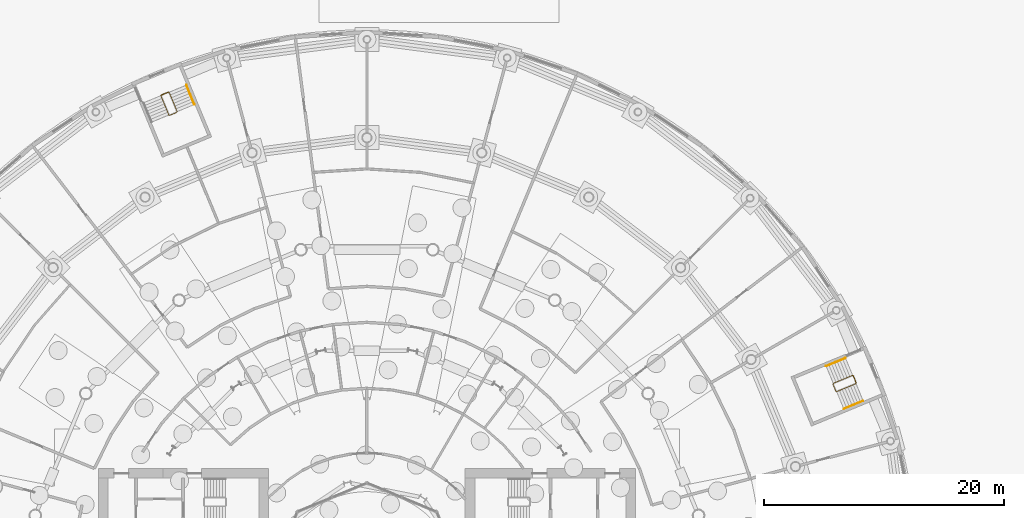
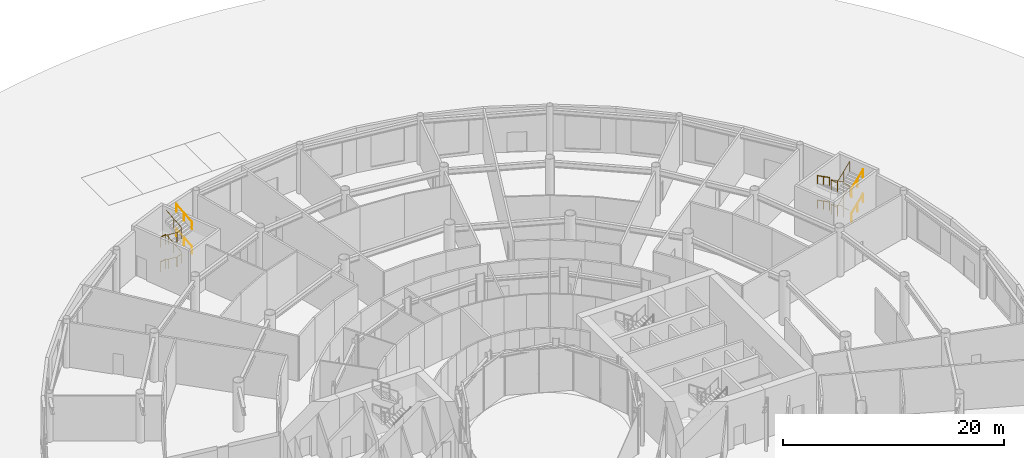
# One storey, part 40 of 41: 8 railings.
"""IFC4 building model written with IfcOpenShell, lengths in metres."""

from ifc_helpers import new_model, si_unit, direction, frame, origin, origin_2d, place, context, subcontext, project, spatial, circle, extrude, material, type_object, element, save


model = new_model("IFC4")

# Units and contexts
model_context = context("Model", 3, precision=1e-05, world=origin(), true_north=direction((0.0, 1.0)))
body_context = subcontext(model_context, "Body", "Model", "MODEL_VIEW")
ifc_project = project(units=[si_unit("LENGTHUNIT", "METRE"), si_unit("AREAUNIT", "SQUARE_METRE"), si_unit("VOLUMEUNIT", "CUBIC_METRE"), si_unit("PLANEANGLEUNIT", "RADIAN"), si_unit("MASSUNIT", "GRAM", prefix="KILO")], contexts=[model_context])

# Site, building, storey
site_placement = place(None, origin())
site = spatial("IfcSite", under=ifc_project, at=site_placement, CompositionType="ELEMENT")
building_placement = place(site_placement, origin())
building = spatial("IfcBuilding", under=site, at=building_placement, Name="Maasbend Ring Residences", CompositionType="ELEMENT")
storey_placement = place(building_placement, origin())
storey = spatial("IfcBuildingStorey", under=building, at=storey_placement, Name="L00", CompositionType="ELEMENT", Elevation=0.0)

# Railings
ifc_material_1 = material(Name="Stainless steel 316", Category="steel")
railing_type_1 = type_object("IfcRailingType", Name="STAIR GUARD 1100", PredefinedType="GUARDRAIL", material=ifc_material_1)
railing_1_placement = place(storey_placement, frame((-16.556884765625, 40.8212890625, 0.0)))
element("IfcRailing", 1, at=railing_1_placement, inside=storey, type_object=railing_type_1, Name="L00 ST-P1 stair guard 1", PredefinedType="GUARDRAIL", context=body_context, shape_type="SweptSolid", body=[
    extrude(circle(Radius=0.02392578125, at=origin_2d()), frame((0.0, 0.0, 1.076171875), z_axis=(-0.923874933397, -0.382694535419, 0.0), x_axis=(0.382694535419, -0.923874933397, 0.0)), (0.0, 0.0, 1.0), 0.650146484375),
    extrude(circle(Radius=0.02392578125, at=origin_2d()), frame((-0.6005859375, -0.248779296875, 1.076171875), z_axis=(-0.148115113719, -0.357611265555, 0.922049942159), x_axis=(0.923890787601, -0.382656259044, 0.0)), (0.0, 0.0, 1.0), 0.182861328125),
    extrude(circle(Radius=0.02392578125, at=origin_2d()), frame((-0.627685546875, -0.314208984375, 1.24462890625), z_axis=(0.317176908296, -0.765711077921, 0.559540305959), x_axis=(0.923875695366, 0.382692695921, 0.0)), (0.0, 0.0, 1.0), 2.111328125),
    extrude(circle(Radius=0.02392578125, at=origin_2d()), frame((0.0419921875, -1.930908203125, 2.42626953125), z_axis=(0.923890787601, -0.382656259044, 0.0), x_axis=(0.382656259044, 0.923890787601, 0.0)), (0.0, 0.0, 1.0), 0.07080078125),
    extrude(circle(Radius=0.02392578125, at=origin_2d()), frame((0.107421875, -1.9580078125, 2.42626953125), z_axis=(0.923874933397, 0.382694535419, 0.0), x_axis=(-0.382694535419, 0.923874933397, 0.0)), (0.0, 0.0, 1.0), 0.650146484375),
    extrude(circle(Radius=0.02392578125, at=origin_2d()), frame((0.7080078125, -1.709228515625, 2.42626953125), z_axis=(0.146809630984, 0.357681646397, 0.922231409181), x_axis=(-0.925106444757, 0.379707869117, 0.0)), (0.0, 0.0, 1.0), 0.182861328125),
    extrude(circle(Radius=0.02392578125, at=origin_2d()), frame((0.73486328125, -1.643798828125, 2.5947265625), z_axis=(-0.317197429648, 0.765760619441, 0.559460869353), x_axis=(-0.923875695366, -0.382692695921, 0.0)), (0.0, 0.0, 1.0), 2.111328125),
    extrude(circle(Radius=0.02392578125, at=origin_2d()), frame((0.065185546875, -0.027099609375, 3.77587890625), z_axis=(-0.948787623449, -0.315914617562, 0.0), x_axis=(0.315914617562, -0.948787623449, 0.0)), (0.0, 0.0, 1.0), 0.70166015625),
    extrude(circle(Radius=0.02392578125, at=origin_2d()), frame((-0.6005859375, -0.248779296875, 3.77587890625), z_axis=(0.923874933397, 0.382694535419, 0.0), x_axis=(-0.382694535419, 0.923874933397, 0.0)), (0.0, 0.0, 1.0), 0.650146484375),
    extrude(circle(Radius=0.02392578125, at=origin_2d()), frame((0.0, 0.0, 3.77587890625), z_axis=(-0.869460204694, -0.435237372012, 0.233682225377), x_axis=(0.447630918295, -0.894218407877, 0.0)), (0.0, 0.0, 1.0), 0.721923828125),
    extrude(circle(Radius=0.02392578125, at=origin_2d()), frame((-0.627685546875, -0.314208984375, 3.94482421875), z_axis=(0.317176908296, -0.765711077921, 0.559540305959), x_axis=(0.923875695366, 0.382692695921, 0.0)), (0.0, 0.0, 1.0), 2.111328125),
    extrude(circle(Radius=0.02392578125, at=origin_2d()), frame((0.0419921875, -1.930908203125, 5.1259765625), z_axis=(0.923890787601, -0.382656259044, 0.0), x_axis=(0.382656259044, 0.923890787601, 0.0)), (0.0, 0.0, 1.0), 0.07080078125),
    extrude(circle(Radius=0.02392578125, at=origin_2d()), frame((0.107421875, -1.9580078125, 5.1259765625), z_axis=(0.923874933397, 0.382694535419, 0.0), x_axis=(-0.382694535419, 0.923874933397, 0.0)), (0.0, 0.0, 1.0), 0.650146484375),
    extrude(circle(Radius=0.02392578125, at=origin_2d()), frame((0.7080078125, -1.709228515625, 5.1259765625), z_axis=(0.146809630984, 0.357681646397, 0.922231409181), x_axis=(-0.925106444757, 0.379707869117, 0.0)), (0.0, 0.0, 1.0), 0.182861328125),
    extrude(circle(Radius=0.02392578125, at=origin_2d()), frame((0.73486328125, -1.643798828125, 5.294921875), z_axis=(-0.317197429648, 0.765760619441, 0.559460869353), x_axis=(-0.923875695366, -0.382692695921, 0.0)), (0.0, 0.0, 1.0), 2.111328125),
    extrude(circle(Radius=0.02099609375, at=origin_2d()), origin(), (0.0, 0.0, 1.0), 1.052001953125),
    extrude(circle(Radius=0.02099609375, at=origin_2d()), frame((-0.6005859375, -0.248779296875, 0.0)), (0.0, 0.0, 1.0), 1.052001953125),
    extrude(circle(Radius=0.02099609375, at=origin_2d()), frame((-0.627685546875, -0.314208984375, 0.168701171875)), (0.0, 0.0, 1.0), 1.052001953125),
    extrude(circle(Radius=0.02099609375, at=origin_2d()), frame((-0.29296875, -1.12255859375, 0.75927734375)), (0.0, 0.0, 1.0), 1.052001953125),
    extrude(circle(Radius=0.02099609375, at=origin_2d()), frame((0.0419921875, -1.930908203125, 1.35009765625)), (0.0, 0.0, 1.0), 1.052001953125),
    extrude(circle(Radius=0.02099609375, at=origin_2d()), frame((0.107421875, -1.9580078125, 1.35009765625)), (0.0, 0.0, 1.0), 1.052001953125),
    extrude(circle(Radius=0.02099609375, at=origin_2d()), frame((0.7080078125, -1.709228515625, 1.35009765625)), (0.0, 0.0, 1.0), 1.052001953125),
    extrude(circle(Radius=0.02099609375, at=origin_2d()), frame((0.73486328125, -1.643798828125, 1.518798828125)), (0.0, 0.0, 1.0), 1.052001953125),
    extrude(circle(Radius=0.02099609375, at=origin_2d()), frame((0.39990234375, -0.83544921875, 2.109375)), (0.0, 0.0, 1.0), 1.052001953125),
    extrude(circle(Radius=0.02099609375, at=origin_2d()), frame((0.065185546875, -0.027099609375, 2.699951171875)), (0.0, 0.0, 1.0), 1.052001953125),
    extrude(circle(Radius=0.02099609375, at=origin_2d()), frame((-0.6005859375, -0.248779296875, 2.699951171875)), (0.0, 0.0, 1.0), 1.052001953125),
    extrude(circle(Radius=0.02099609375, at=origin_2d()), frame((0.0, 0.0, 2.699951171875)), (0.0, 0.0, 1.0), 1.052001953125),
    extrude(circle(Radius=0.02099609375, at=origin_2d()), frame((-0.627685546875, -0.314208984375, 2.86865234375)), (0.0, 0.0, 1.0), 1.052001953125),
    extrude(circle(Radius=0.02099609375, at=origin_2d()), frame((-0.29296875, -1.12255859375, 3.45947265625)), (0.0, 0.0, 1.0), 1.052001953125),
    extrude(circle(Radius=0.02099609375, at=origin_2d()), frame((0.0419921875, -1.930908203125, 4.050048828125)), (0.0, 0.0, 1.0), 1.052001953125),
    extrude(circle(Radius=0.02099609375, at=origin_2d()), frame((0.107421875, -1.9580078125, 4.050048828125)), (0.0, 0.0, 1.0), 1.052001953125),
    extrude(circle(Radius=0.02099609375, at=origin_2d()), frame((0.7080078125, -1.709228515625, 4.050048828125)), (0.0, 0.0, 1.0), 1.052001953125),
    extrude(circle(Radius=0.02099609375, at=origin_2d()), frame((0.73486328125, -1.643798828125, 4.21875)), (0.0, 0.0, 1.0), 1.052001953125),
    extrude(circle(Radius=0.02099609375, at=origin_2d()), frame((0.39990234375, -0.83544921875, 4.809326171875)), (0.0, 0.0, 1.0), 1.052001953125),
    extrude(circle(Radius=0.02099609375, at=origin_2d()), frame((0.065185546875, -0.027099609375, 5.39990234375)), (0.0, 0.0, 1.0), 1.052001953125),
])
railing_2_placement = place(storey_placement, frame((40.8212890625, 16.556884765625, 0.0)))
element("IfcRailing", 2, at=railing_2_placement, inside=storey, type_object=railing_type_1, Name="L00 ST-P5 stair guard 1", PredefinedType="GUARDRAIL", context=body_context, shape_type="SweptSolid", body=[
    extrude(circle(Radius=0.02392578125, at=origin_2d()), frame((0.0, 0.0, 1.076171875), z_axis=(-0.382694535419, 0.923874933397, 0.0), x_axis=(-0.923874933397, -0.382694535419, 0.0)), (0.0, 0.0, 1.0), 0.650146484375),
    extrude(circle(Radius=0.02392578125, at=origin_2d()), frame((-0.248779296875, 0.6005859375, 1.076171875), z_axis=(-0.357611265555, 0.148115113719, 0.922049942159), x_axis=(-0.382656259044, -0.923890787601, 0.0)), (0.0, 0.0, 1.0), 0.182861328125),
    extrude(circle(Radius=0.02392578125, at=origin_2d()), frame((-0.314208984375, 0.627685546875, 1.24462890625), z_axis=(-0.765711077921, -0.317176908296, 0.559540305959), x_axis=(0.382692695921, -0.923875695366, 0.0)), (0.0, 0.0, 1.0), 2.111328125),
    extrude(circle(Radius=0.02392578125, at=origin_2d()), frame((-1.930908203125, -0.0419921875, 2.42626953125), z_axis=(-0.382656259044, -0.923890787601, 0.0), x_axis=(0.923890787601, -0.382656259044, 0.0)), (0.0, 0.0, 1.0), 0.07080078125),
    extrude(circle(Radius=0.02392578125, at=origin_2d()), frame((-1.9580078125, -0.107421875, 2.42626953125), z_axis=(0.382694535419, -0.923874933397, 0.0), x_axis=(0.923874933397, 0.382694535419, 0.0)), (0.0, 0.0, 1.0), 0.650146484375),
    extrude(circle(Radius=0.02392578125, at=origin_2d()), frame((-1.709228515625, -0.7080078125, 2.42626953125), z_axis=(0.357681646397, -0.146809630984, 0.922231409181), x_axis=(0.379707869117, 0.925106444757, 0.0)), (0.0, 0.0, 1.0), 0.182861328125),
    extrude(circle(Radius=0.02392578125, at=origin_2d()), frame((-1.643798828125, -0.73486328125, 2.5947265625), z_axis=(0.765760619441, 0.317197429648, 0.559460869353), x_axis=(-0.382692695921, 0.923875695366, 0.0)), (0.0, 0.0, 1.0), 2.111328125),
    extrude(circle(Radius=0.02392578125, at=origin_2d()), frame((-0.027099609375, -0.065185546875, 3.77587890625), z_axis=(-0.315914617562, 0.948787623449, 0.0), x_axis=(-0.948787623449, -0.315914617562, 0.0)), (0.0, 0.0, 1.0), 0.70166015625),
    extrude(circle(Radius=0.02392578125, at=origin_2d()), frame((-0.248779296875, 0.6005859375, 3.77587890625), z_axis=(0.382694535419, -0.923874933397, 0.0), x_axis=(0.923874933397, 0.382694535419, 0.0)), (0.0, 0.0, 1.0), 0.650146484375),
    extrude(circle(Radius=0.02392578125, at=origin_2d()), frame((0.0, 0.0, 3.77587890625), z_axis=(-0.435237372012, 0.869460204694, 0.233682225377), x_axis=(-0.894218407877, -0.447630918295, 0.0)), (0.0, 0.0, 1.0), 0.721923828125),
    extrude(circle(Radius=0.02392578125, at=origin_2d()), frame((-0.314208984375, 0.627685546875, 3.94482421875), z_axis=(-0.765711077921, -0.317176908296, 0.559540305959), x_axis=(0.382692695921, -0.923875695366, 0.0)), (0.0, 0.0, 1.0), 2.111328125),
    extrude(circle(Radius=0.02392578125, at=origin_2d()), frame((-1.930908203125, -0.0419921875, 5.1259765625), z_axis=(-0.382656259044, -0.923890787601, 0.0), x_axis=(0.923890787601, -0.382656259044, 0.0)), (0.0, 0.0, 1.0), 0.07080078125),
    extrude(circle(Radius=0.02392578125, at=origin_2d()), frame((-1.9580078125, -0.107421875, 5.1259765625), z_axis=(0.382694535419, -0.923874933397, 0.0), x_axis=(0.923874933397, 0.382694535419, 0.0)), (0.0, 0.0, 1.0), 0.650146484375),
    extrude(circle(Radius=0.02392578125, at=origin_2d()), frame((-1.709228515625, -0.7080078125, 5.1259765625), z_axis=(0.357681646397, -0.146809630984, 0.922231409181), x_axis=(0.379707869117, 0.925106444757, 0.0)), (0.0, 0.0, 1.0), 0.182861328125),
    extrude(circle(Radius=0.02392578125, at=origin_2d()), frame((-1.643798828125, -0.73486328125, 5.294921875), z_axis=(0.765760619441, 0.317197429648, 0.559460869353), x_axis=(-0.382692695921, 0.923875695366, 0.0)), (0.0, 0.0, 1.0), 2.111328125),
    extrude(circle(Radius=0.02099609375, at=origin_2d()), origin(), (0.0, 0.0, 1.0), 1.052001953125),
    extrude(circle(Radius=0.02099609375, at=origin_2d()), frame((-0.248779296875, 0.6005859375, 0.0)), (0.0, 0.0, 1.0), 1.052001953125),
    extrude(circle(Radius=0.02099609375, at=origin_2d()), frame((-0.314208984375, 0.627685546875, 0.168701171875)), (0.0, 0.0, 1.0), 1.052001953125),
    extrude(circle(Radius=0.02099609375, at=origin_2d()), frame((-1.12255859375, 0.29296875, 0.75927734375)), (0.0, 0.0, 1.0), 1.052001953125),
    extrude(circle(Radius=0.02099609375, at=origin_2d()), frame((-1.930908203125, -0.0419921875, 1.35009765625)), (0.0, 0.0, 1.0), 1.052001953125),
    extrude(circle(Radius=0.02099609375, at=origin_2d()), frame((-1.9580078125, -0.107421875, 1.35009765625)), (0.0, 0.0, 1.0), 1.052001953125),
    extrude(circle(Radius=0.02099609375, at=origin_2d()), frame((-1.709228515625, -0.7080078125, 1.35009765625)), (0.0, 0.0, 1.0), 1.052001953125),
    extrude(circle(Radius=0.02099609375, at=origin_2d()), frame((-1.643798828125, -0.73486328125, 1.518798828125)), (0.0, 0.0, 1.0), 1.052001953125),
    extrude(circle(Radius=0.02099609375, at=origin_2d()), frame((-0.83544921875, -0.39990234375, 2.109375)), (0.0, 0.0, 1.0), 1.052001953125),
    extrude(circle(Radius=0.02099609375, at=origin_2d()), frame((-0.027099609375, -0.065185546875, 2.699951171875)), (0.0, 0.0, 1.0), 1.052001953125),
    extrude(circle(Radius=0.02099609375, at=origin_2d()), frame((-0.248779296875, 0.6005859375, 2.699951171875)), (0.0, 0.0, 1.0), 1.052001953125),
    extrude(circle(Radius=0.02099609375, at=origin_2d()), frame((0.0, 0.0, 2.699951171875)), (0.0, 0.0, 1.0), 1.052001953125),
    extrude(circle(Radius=0.02099609375, at=origin_2d()), frame((-0.314208984375, 0.627685546875, 2.86865234375)), (0.0, 0.0, 1.0), 1.052001953125),
    extrude(circle(Radius=0.02099609375, at=origin_2d()), frame((-1.12255859375, 0.29296875, 3.45947265625)), (0.0, 0.0, 1.0), 1.052001953125),
    extrude(circle(Radius=0.02099609375, at=origin_2d()), frame((-1.930908203125, -0.0419921875, 4.050048828125)), (0.0, 0.0, 1.0), 1.052001953125),
    extrude(circle(Radius=0.02099609375, at=origin_2d()), frame((-1.9580078125, -0.107421875, 4.050048828125)), (0.0, 0.0, 1.0), 1.052001953125),
    extrude(circle(Radius=0.02099609375, at=origin_2d()), frame((-1.709228515625, -0.7080078125, 4.050048828125)), (0.0, 0.0, 1.0), 1.052001953125),
    extrude(circle(Radius=0.02099609375, at=origin_2d()), frame((-1.643798828125, -0.73486328125, 4.21875)), (0.0, 0.0, 1.0), 1.052001953125),
    extrude(circle(Radius=0.02099609375, at=origin_2d()), frame((-0.83544921875, -0.39990234375, 4.809326171875)), (0.0, 0.0, 1.0), 1.052001953125),
    extrude(circle(Radius=0.02099609375, at=origin_2d()), frame((-0.027099609375, -0.065185546875, 5.39990234375)), (0.0, 0.0, 1.0), 1.052001953125),
])
ifc_material_2 = material(Name="Stainless steel 316", Category="steel")
railing_type_2 = type_object("IfcRailingType", Name="STAIR HANDRAIL 900", PredefinedType="HANDRAIL", material=ifc_material_2)
for number, where, name in (
    (3, (-14.389892578125, 39.7705078125, 1.518798828125), "L00 ST-P1 stair handrail 2"),
    (4, (-14.389892578125, 39.7705078125, 4.21875), "L00 ST-P1 stair handrail 4"),
):
    element("IfcRailing", number, at=place(storey_placement, frame(where)), inside=storey, type_object=railing_type_2, Name=name, PredefinedType="HANDRAIL", context=body_context, shape_type="SweptSolid", body=[
        extrude(circle(Radius=0.02392578125, at=origin_2d()), frame((0.0, 0.0, 0.8759765625), z_axis=(-0.317169342888, 0.765808442561, 0.559411330985), x_axis=(-0.923896124067, -0.382643374349, 0.0)), (0.0, 0.0, 1.0), 2.111328125),
        extrude(circle(Radius=0.02099609375, at=origin_2d()), origin(), (0.0, 0.0, 1.0), 0.851806640625),
        extrude(circle(Radius=0.02099609375, at=origin_2d()), frame((-0.3349609375, 0.80859375, 0.590576171875)), (0.0, 0.0, 1.0), 0.851806640625),
        extrude(circle(Radius=0.02099609375, at=origin_2d()), frame((-0.669677734375, 1.616943359375, 1.18115234375)), (0.0, 0.0, 1.0), 0.851806640625),
    ])
railing_3_placement = place(storey_placement, frame((39.9140625, 18.616455078125, 0.168701171875)))
element("IfcRailing", 5, at=railing_3_placement, inside=storey, type_object=railing_type_2, Name="L00 ST-P5 stair handrail 1", PredefinedType="HANDRAIL", context=body_context, shape_type="SweptSolid", body=[
    extrude(circle(Radius=0.02392578125, at=origin_2d()), frame((0.0, 0.0, 0.8759765625), z_axis=(-0.765711077921, -0.317176908296, 0.559540305959), x_axis=(0.382692695921, -0.923875695366, 0.0)), (0.0, 0.0, 1.0), 2.111328125),
    extrude(circle(Radius=0.02099609375, at=origin_2d()), origin(), (0.0, 0.0, 1.0), 0.851806640625),
    extrude(circle(Radius=0.02099609375, at=origin_2d()), frame((-0.808349609375, -0.3349609375, 0.5908203125)), (0.0, 0.0, 1.0), 0.851806640625),
    extrude(circle(Radius=0.02099609375, at=origin_2d()), frame((-1.61669921875, -0.669677734375, 1.181396484375)), (0.0, 0.0, 1.0), 0.851806640625),
])
railing_4_placement = place(storey_placement, frame((39.7705078125, 14.389892578125, 1.518798828125)))
element("IfcRailing", 6, at=railing_4_placement, inside=storey, type_object=railing_type_2, Name="L00 ST-P5 stair handrail 2", PredefinedType="HANDRAIL", context=body_context, shape_type="SweptSolid", body=[
    extrude(circle(Radius=0.02392578125, at=origin_2d()), frame((0.0, 0.0, 0.8759765625), z_axis=(0.765808442561, 0.317169342888, 0.559411330985), x_axis=(-0.382643374349, 0.923896124067, 0.0)), (0.0, 0.0, 1.0), 2.111328125),
    extrude(circle(Radius=0.02099609375, at=origin_2d()), origin(), (0.0, 0.0, 1.0), 0.851806640625),
    extrude(circle(Radius=0.02099609375, at=origin_2d()), frame((0.80859375, 0.3349609375, 0.590576171875)), (0.0, 0.0, 1.0), 0.851806640625),
    extrude(circle(Radius=0.02099609375, at=origin_2d()), frame((1.616943359375, 0.669677734375, 1.18115234375)), (0.0, 0.0, 1.0), 0.851806640625),
])
railing_5_placement = place(storey_placement, frame((39.9140625, 18.616455078125, 2.86865234375)))
element("IfcRailing", 7, at=railing_5_placement, inside=storey, type_object=railing_type_2, Name="L00 ST-P5 stair handrail 3", PredefinedType="HANDRAIL", context=body_context, shape_type="SweptSolid", body=[
    extrude(circle(Radius=0.02392578125, at=origin_2d()), frame((0.0, 0.0, 0.8759765625), z_axis=(-0.765711077921, -0.317176908296, 0.559540305959), x_axis=(0.382692695921, -0.923875695366, 0.0)), (0.0, 0.0, 1.0), 2.111328125),
    extrude(circle(Radius=0.02099609375, at=origin_2d()), origin(), (0.0, 0.0, 1.0), 0.851806640625),
    extrude(circle(Radius=0.02099609375, at=origin_2d()), frame((-0.808349609375, -0.3349609375, 0.5908203125)), (0.0, 0.0, 1.0), 0.851806640625),
    extrude(circle(Radius=0.02099609375, at=origin_2d()), frame((-1.61669921875, -0.669677734375, 1.181396484375)), (0.0, 0.0, 1.0), 0.851806640625),
])
railing_6_placement = place(storey_placement, frame((39.7705078125, 14.389892578125, 4.21875)))
element("IfcRailing", 8, at=railing_6_placement, inside=storey, type_object=railing_type_2, Name="L00 ST-P5 stair handrail 4", PredefinedType="HANDRAIL", context=body_context, shape_type="SweptSolid", body=[
    extrude(circle(Radius=0.02392578125, at=origin_2d()), frame((0.0, 0.0, 0.8759765625), z_axis=(0.765808442561, 0.317169342888, 0.559411330985), x_axis=(-0.382643374349, 0.923896124067, 0.0)), (0.0, 0.0, 1.0), 2.111328125),
    extrude(circle(Radius=0.02099609375, at=origin_2d()), origin(), (0.0, 0.0, 1.0), 0.851806640625),
    extrude(circle(Radius=0.02099609375, at=origin_2d()), frame((0.80859375, 0.3349609375, 0.590576171875)), (0.0, 0.0, 1.0), 0.851806640625),
    extrude(circle(Radius=0.02099609375, at=origin_2d()), frame((1.616943359375, 0.669677734375, 1.18115234375)), (0.0, 0.0, 1.0), 0.851806640625),
])

save(model, "model.ifc")
